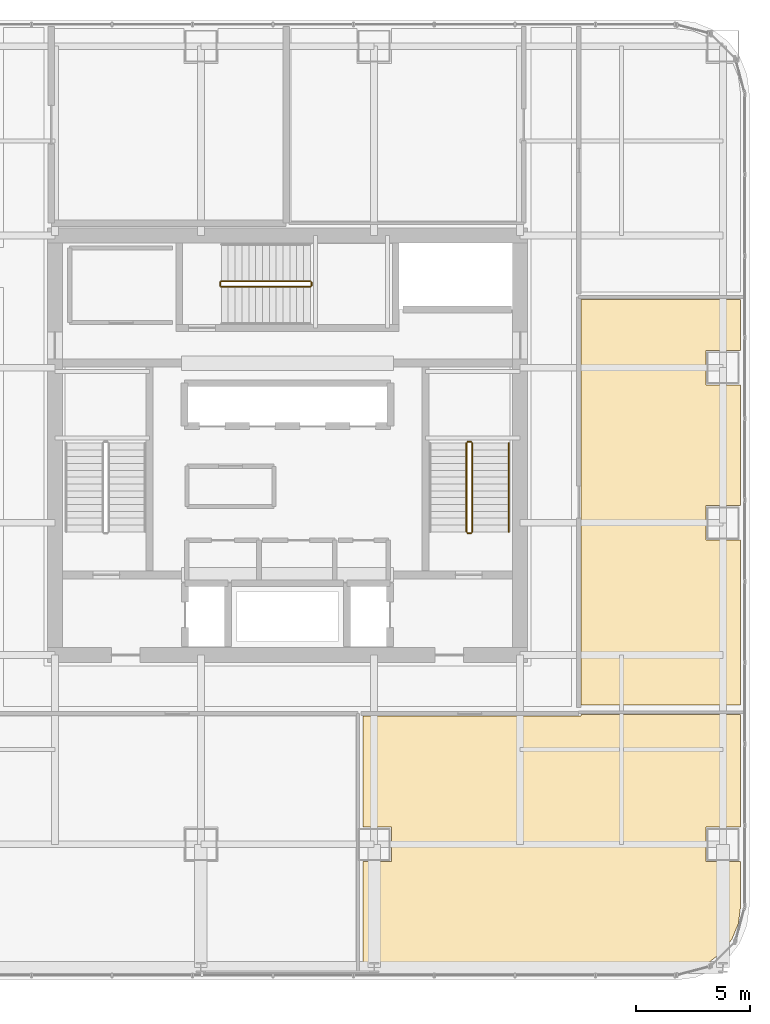
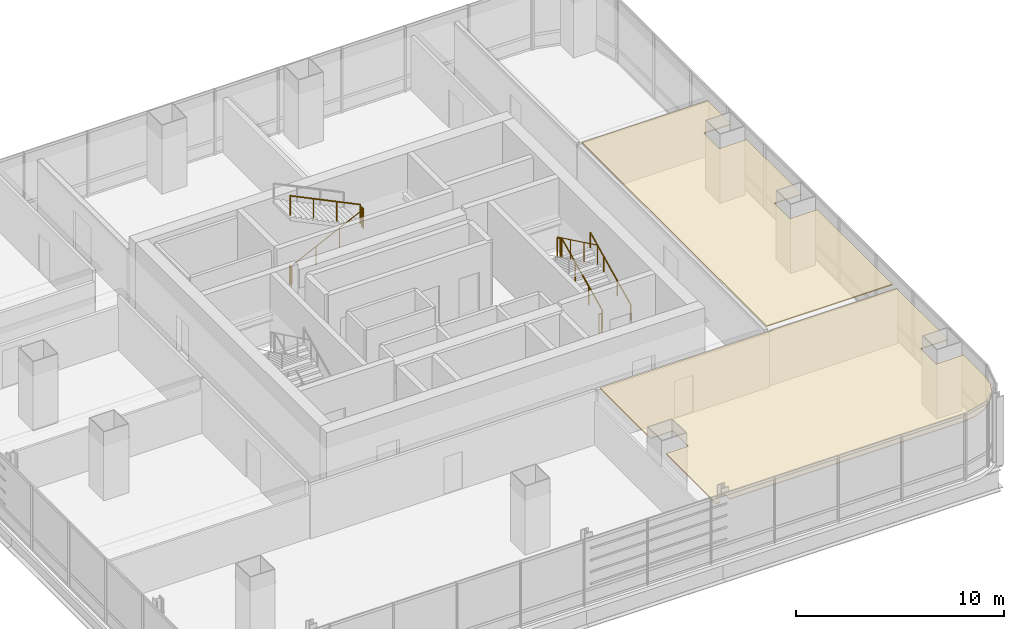
# One storey, part 35 of 36: 9 railings, 2 coverings.
"""IFC4 building model written with IfcOpenShell, lengths in metres."""

from ifc_helpers import new_model, si_unit, direction, frame, origin, origin_2d, place, context, subcontext, project, spatial, polyline, circle, outline, extrude, material, layer, layer_set, type_object, element, save


model = new_model("IFC4")

# Units and contexts
model_context = context("Model", 3, precision=1e-05, world=origin(), true_north=direction((0.0, 1.0)))
body_context = subcontext(model_context, "Body", "Model", "MODEL_VIEW")
ifc_project = project(units=[si_unit("LENGTHUNIT", "METRE"), si_unit("AREAUNIT", "SQUARE_METRE"), si_unit("VOLUMEUNIT", "CUBIC_METRE"), si_unit("PLANEANGLEUNIT", "RADIAN"), si_unit("MASSUNIT", "GRAM", prefix="KILO")], contexts=[model_context])

# Site, building, storey
site_placement = place(None, origin())
site = spatial("IfcSite", under=ifc_project, at=site_placement, CompositionType="ELEMENT")
building_placement = place(site_placement, origin())
building = spatial("IfcBuilding", under=site, at=building_placement, Name="Punatoya Terracotta Tower", CompositionType="ELEMENT")
storey_placement = place(building_placement, frame((0.0, 0.0, 180.300048828125)))
storey = spatial("IfcBuildingStorey", under=building, at=storey_placement, Name="L42", CompositionType="ELEMENT", Elevation=180.300048828125)

# Coverings
ifc_material_1 = material(Name="Acoustic Mineral Fibre Ceiling")
ifc_layer = layer(ifc_material_1, 0.06005859375)
ifc_layer_set = layer_set([ifc_layer], Name="Acoustic Mineral Fibre Ceiling")
covering_type = type_object("IfcCoveringType", Name="COV-CEIL-60", PredefinedType="CEILING", material=ifc_layer_set)
covering_1_placement = place(storey_placement, frame((0.0, 0.0, 3.219970703125)))
element("IfcCovering", 1, at=covering_1_placement, inside=storey, type_object=covering_type, Name="L42 Occupational Rest Lounge Acoustic Ceiling", PredefinedType="CEILING", context=body_context, shape_type="SweptSolid", body=[
    extrude(outline(polyline([(12.8701171875, -11.8701171875), (3.31591796875, -11.8701171875), (3.31591796875, -16.75), (4.550048828125, -16.75), (4.550048828125, -18.25), (3.31591796875, -18.25), (3.31591796875, -23.070068359375), (3.54541015625, -23.070068359375), (3.54541015625, -22.637451171875), (4.054443359375, -22.637451171875), (4.054443359375, -23.070068359375), (17.025146484375, -23.070068359375), (17.779052734375, -22.970703125), (18.458251953125, -22.689453125), (19.041748046875, -22.24169921875), (19.489501953125, -21.658203125), (19.770751953125, -20.97900390625), (19.8701171875, -20.22509765625), (19.8701171875, -18.25), (18.35009765625, -18.25), (18.35009765625, -16.75), (19.8701171875, -16.75), (19.8701171875, -11.81005859375), (12.8701171875, -11.81005859375), (12.8701171875, -11.8701171875)])), origin(), (0.0, 0.0, 1.0), 0.06005859375),
])
covering_2_placement = place(storey_placement, frame((0.0, 0.0, 3.219970703125)))
element("IfcCovering", 2, at=covering_2_placement, inside=storey, type_object=covering_type, Name="L42 Open-Plan Leadership Training Classroom Acoustic Ceiling", PredefinedType="CEILING", context=body_context, shape_type="SweptSolid", body=[
    extrude(outline(polyline([(12.8701171875, 6.403076171875), (12.8701171875, -11.389892578125), (19.8701171875, -11.389892578125), (19.8701171875, -4.14990234375), (18.35009765625, -4.14990234375), (18.35009765625, -2.64990234375), (19.8701171875, -2.64990234375), (19.8701171875, 2.64990234375), (18.35009765625, 2.64990234375), (18.35009765625, 4.14990234375), (19.8701171875, 4.14990234375), (19.8701171875, 6.403076171875), (12.8701171875, 6.403076171875)])), origin(), (0.0, 0.0, 1.0), 0.06005859375),
])

# Railings
ifc_material_2 = material(Name="Steel S355", Category="steel")
railing_type_1 = type_object("IfcRailingType", Name="RLG-GRD-1150", PredefinedType="GUARDRAIL", material=ifc_material_2)
railing_1_placement = place(storey_placement, frame((8.10009765625, -3.800048828125, 0.14453125)))
element("IfcRailing", 3, at=railing_1_placement, inside=storey, type_object=railing_type_1, Name="L42 ST-2 stair guard 1", PredefinedType="GUARDRAIL", context=body_context, shape_type="SweptSolid", body=[
    extrude(circle(Radius=0.02392578125, at=origin_2d()), frame((0.0, 0.0, 1.1259765625), z_axis=(0.0, 0.900773802044, 0.434288564841), x_axis=(-1.0, 0.0, 0.0)), (0.0, 0.0, 1.0), 4.329833984375),
    extrude(circle(Radius=0.02099609375, at=origin_2d()), origin(), (0.0, 0.0, 1.0), 1.101806640625),
    extrude(circle(Radius=0.02099609375, at=origin_2d()), frame((0.0, 1.300048828125, 0.626708984375)), (0.0, 0.0, 1.0), 1.101806640625),
    extrude(circle(Radius=0.02099609375, at=origin_2d()), frame((0.0, 2.60009765625, 1.253662109375)), (0.0, 0.0, 1.0), 1.101806640625),
    extrude(circle(Radius=0.02099609375, at=origin_2d()), frame((0.0, 3.900146484375, 1.88037109375)), (0.0, 0.0, 1.0), 1.101806640625),
])
railing_2_placement = place(storey_placement, frame((8.050048828125, 0.14990234375, 2.02490234375)))
element("IfcRailing", 4, at=railing_2_placement, inside=storey, type_object=railing_type_1, Name="L42 ST-2 stair guard 2", PredefinedType="GUARDRAIL", context=body_context, shape_type="SweptSolid", body=[
    extrude(circle(Radius=0.02392578125, at=origin_2d()), frame((0.0, 0.0, 1.1259765625), z_axis=(-1.0, 0.0, 0.0), x_axis=(0.0, -1.0, 0.0)), (0.0, 0.0, 1.0), 0.150146484375),
    extrude(circle(Radius=0.02099609375, at=origin_2d()), origin(), (0.0, 0.0, 1.0), 1.101806640625),
    extrude(circle(Radius=0.02099609375, at=origin_2d()), frame((-0.150146484375, 0.0, 0.0)), (0.0, 0.0, 1.0), 1.101806640625),
])
railing_3_placement = place(storey_placement, frame((7.85009765625, 0.10009765625, 2.169677734375)))
element("IfcRailing", 5, at=railing_3_placement, inside=storey, type_object=railing_type_1, Name="L42 ST-2 stair guard 3", PredefinedType="GUARDRAIL", context=body_context, shape_type="SweptSolid", body=[
    extrude(circle(Radius=0.02392578125, at=origin_2d()), frame((0.0, 0.0, 1.1259765625), z_axis=(0.0, -0.900773802044, 0.434288564841), x_axis=(1.0, 0.0, 0.0)), (0.0, 0.0, 1.0), 4.329833984375),
    extrude(circle(Radius=0.02099609375, at=origin_2d()), origin(), (0.0, 0.0, 1.0), 1.101806640625),
    extrude(circle(Radius=0.02099609375, at=origin_2d()), frame((0.0, -1.300048828125, 0.626708984375)), (0.0, 0.0, 1.0), 1.101806640625),
    extrude(circle(Radius=0.02099609375, at=origin_2d()), frame((0.0, -2.60009765625, 1.253662109375)), (0.0, 0.0, 1.0), 1.101806640625),
    extrude(circle(Radius=0.02099609375, at=origin_2d()), frame((0.0, -3.900146484375, 1.88037109375)), (0.0, 0.0, 1.0), 1.101806640625),
])
railing_4_placement = place(storey_placement, frame((8.050048828125, -3.85009765625, 0.0)))
element("IfcRailing", 6, at=railing_4_placement, inside=storey, type_object=railing_type_1, Name="L42 ST-2 stair guard 4", PredefinedType="GUARDRAIL", context=body_context, shape_type="SweptSolid", body=[
    extrude(circle(Radius=0.02392578125, at=origin_2d()), frame((0.0, 0.0, 1.1259765625), z_axis=(-1.0, 0.0, 0.0), x_axis=(0.0, -1.0, 0.0)), (0.0, 0.0, 1.0), 0.150146484375),
    extrude(circle(Radius=0.02099609375, at=origin_2d()), origin(), (0.0, 0.0, 1.0), 1.101806640625),
    extrude(circle(Radius=0.02099609375, at=origin_2d()), frame((-0.150146484375, 0.0, 0.0)), (0.0, 0.0, 1.0), 1.101806640625),
])
railing_5_placement = place(storey_placement, frame((-2.89990234375, 6.949951171875, 0.14453125)))
element("IfcRailing", 7, at=railing_5_placement, inside=storey, type_object=railing_type_1, Name="L42 ST-3 stair guard 1", PredefinedType="GUARDRAIL", context=body_context, shape_type="SweptSolid", body=[
    extrude(circle(Radius=0.02392578125, at=origin_2d()), frame((0.0, 0.0, 1.1259765625), z_axis=(0.900763166376, 0.0, 0.434310623978), x_axis=(0.0, 1.0, 0.0)), (0.0, 0.0, 1.0), 4.32958984375),
    extrude(circle(Radius=0.02099609375, at=origin_2d()), origin(), (0.0, 0.0, 1.0), 1.101806640625),
    extrude(circle(Radius=0.02099609375, at=origin_2d()), frame((1.300048828125, 0.0, 0.626708984375)), (0.0, 0.0, 1.0), 1.101806640625),
    extrude(circle(Radius=0.02099609375, at=origin_2d()), frame((2.599853515625, 0.0, 1.253662109375)), (0.0, 0.0, 1.0), 1.101806640625),
    extrude(circle(Radius=0.02099609375, at=origin_2d()), frame((3.89990234375, 0.0, 1.88037109375)), (0.0, 0.0, 1.0), 1.101806640625),
])
railing_6_placement = place(storey_placement, frame((1.050048828125, 7.0, 2.02490234375)))
element("IfcRailing", 8, at=railing_6_placement, inside=storey, type_object=railing_type_1, Name="L42 ST-3 stair guard 2", PredefinedType="GUARDRAIL", context=body_context, shape_type="SweptSolid", body=[
    extrude(circle(Radius=0.02392578125, at=origin_2d()), frame((0.0, 0.0, 1.1259765625), z_axis=(0.0, 1.0, 0.0), x_axis=(-1.0, 0.0, 0.0)), (0.0, 0.0, 1.0), 0.14990234375),
    extrude(circle(Radius=0.02099609375, at=origin_2d()), origin(), (0.0, 0.0, 1.0), 1.101806640625),
    extrude(circle(Radius=0.02099609375, at=origin_2d()), frame((0.0, 0.14990234375, 0.0)), (0.0, 0.0, 1.0), 1.101806640625),
])
railing_7_placement = place(storey_placement, frame((1.0, 7.199951171875, 2.169677734375)))
element("IfcRailing", 9, at=railing_7_placement, inside=storey, type_object=railing_type_1, Name="L42 ST-3 stair guard 3", PredefinedType="GUARDRAIL", context=body_context, shape_type="SweptSolid", body=[
    extrude(circle(Radius=0.02392578125, at=origin_2d()), frame((0.0, 0.0, 1.1259765625), z_axis=(-0.900763166376, 0.0, 0.434310623978), x_axis=(0.0, -1.0, 0.0)), (0.0, 0.0, 1.0), 4.32958984375),
    extrude(circle(Radius=0.02099609375, at=origin_2d()), origin(), (0.0, 0.0, 1.0), 1.101806640625),
    extrude(circle(Radius=0.02099609375, at=origin_2d()), frame((-1.300048828125, 0.0, 0.626708984375)), (0.0, 0.0, 1.0), 1.101806640625),
    extrude(circle(Radius=0.02099609375, at=origin_2d()), frame((-2.599853515625, 0.0, 1.253662109375)), (0.0, 0.0, 1.0), 1.101806640625),
    extrude(circle(Radius=0.02099609375, at=origin_2d()), frame((-3.89990234375, 0.0, 1.88037109375)), (0.0, 0.0, 1.0), 1.101806640625),
])
railing_8_placement = place(storey_placement, frame((-2.949951171875, 7.0, 0.0)))
element("IfcRailing", 10, at=railing_8_placement, inside=storey, type_object=railing_type_1, Name="L42 ST-3 stair guard 4", PredefinedType="GUARDRAIL", context=body_context, shape_type="SweptSolid", body=[
    extrude(circle(Radius=0.02392578125, at=origin_2d()), frame((0.0, 0.0, 1.1259765625), z_axis=(0.0, 1.0, 0.0), x_axis=(-1.0, 0.0, 0.0)), (0.0, 0.0, 1.0), 0.14990234375),
    extrude(circle(Radius=0.02099609375, at=origin_2d()), origin(), (0.0, 0.0, 1.0), 1.101806640625),
    extrude(circle(Radius=0.02099609375, at=origin_2d()), frame((0.0, 0.14990234375, 0.0)), (0.0, 0.0, 1.0), 1.101806640625),
])
railing_type_2 = type_object("IfcRailingType", Name="RLG-HND-900", PredefinedType="HANDRAIL", material=ifc_material_2)
railing_9_placement = place(storey_placement, frame((9.699951171875, -3.800048828125, 0.14453125)))
element("IfcRailing", 11, at=railing_9_placement, inside=storey, type_object=railing_type_2, Name="L42 ST-2 stair handrail 1", PredefinedType="HANDRAIL", context=body_context, shape_type="SweptSolid", body=[
    extrude(circle(Radius=0.02392578125, at=origin_2d()), frame((0.0, 0.0, 0.8759765625), z_axis=(0.0, 0.900773802044, 0.434288564841), x_axis=(-1.0, 0.0, 0.0)), (0.0, 0.0, 1.0), 4.329833984375),
    extrude(circle(Radius=0.02099609375, at=origin_2d()), origin(), (0.0, 0.0, 1.0), 0.851806640625),
    extrude(circle(Radius=0.02099609375, at=origin_2d()), frame((0.0, 1.300048828125, 0.626708984375)), (0.0, 0.0, 1.0), 0.851806640625),
    extrude(circle(Radius=0.02099609375, at=origin_2d()), frame((0.0, 2.60009765625, 1.253662109375)), (0.0, 0.0, 1.0), 0.851806640625),
    extrude(circle(Radius=0.02099609375, at=origin_2d()), frame((0.0, 3.900146484375, 1.88037109375)), (0.0, 0.0, 1.0), 0.851806640625),
])

save(model, "model.ifc")
